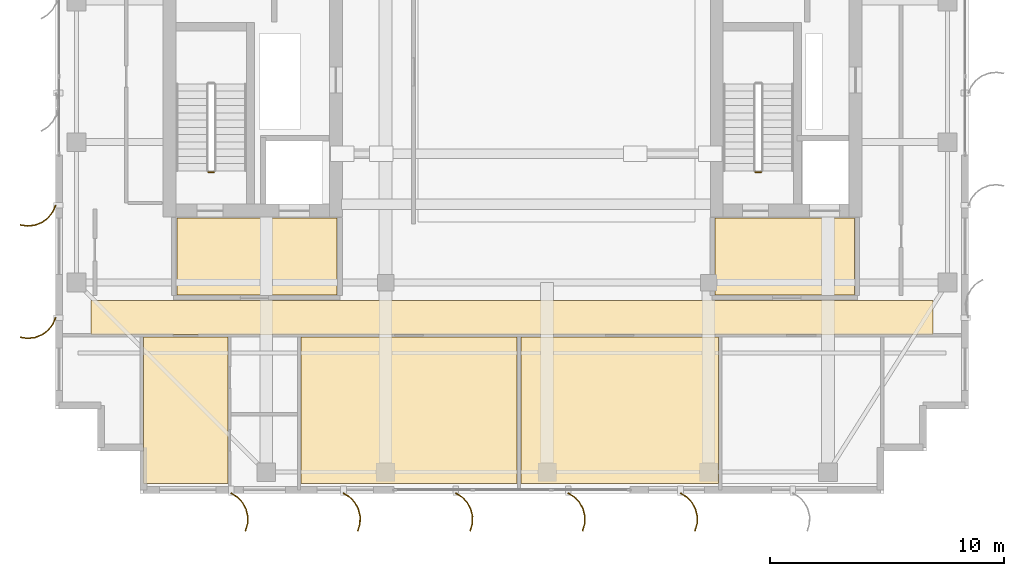
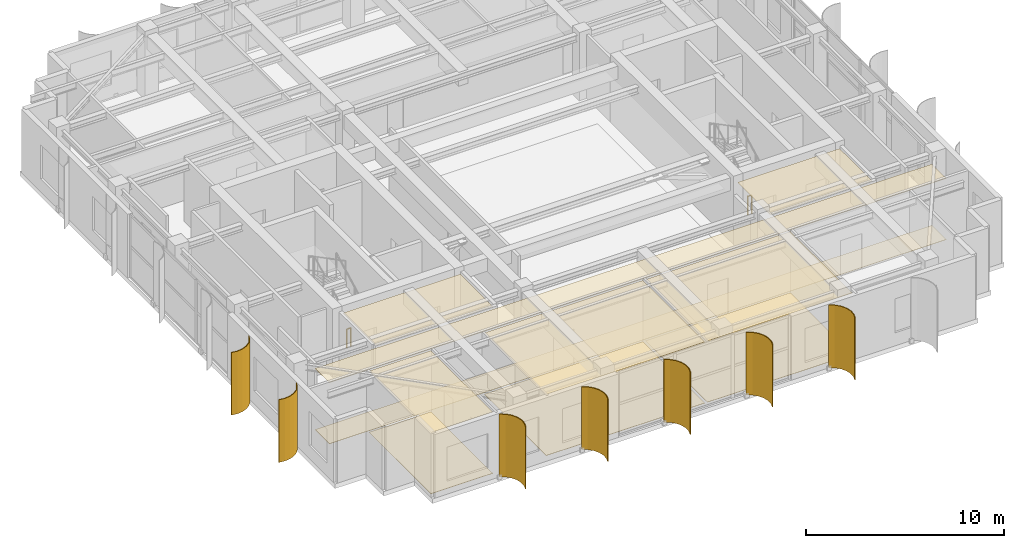
# One storey, part 24 of 26: 10 coverings, 7 shading devices, 2 railings.
"""IFC4 building model written with IfcOpenShell, lengths in metres."""

from ifc_helpers import new_model, si_unit, direction, frame, origin, origin_2d, place, context, subcontext, project, spatial, polyline, circle, outline, extrude, source, transform, mapped, material, layer, layer_set, type_object, element, save


model = new_model("IFC4")

# Units and contexts
model_context = context("Model", 3, precision=1e-05, world=origin(), true_north=direction((0.0, 1.0)))
body_context = subcontext(model_context, "Body", "Model", "MODEL_VIEW")
ifc_project = project(units=[si_unit("LENGTHUNIT", "METRE"), si_unit("AREAUNIT", "SQUARE_METRE"), si_unit("VOLUMEUNIT", "CUBIC_METRE"), si_unit("PLANEANGLEUNIT", "RADIAN"), si_unit("MASSUNIT", "GRAM", prefix="KILO")], contexts=[model_context])

# Site, building, storey
site_placement = place(None, origin())
site = spatial("IfcSite", under=ifc_project, at=site_placement, CompositionType="ELEMENT")
building_placement = place(site_placement, origin())
building = spatial("IfcBuilding", under=site, at=building_placement, Name="Khoralis Quay Care Tower", CompositionType="ELEMENT")
storey_placement = place(building_placement, frame((0.0, 0.0, 289.5)))
storey = spatial("IfcBuildingStorey", under=building, at=storey_placement, Name="L76", CompositionType="ELEMENT", Elevation=289.5)

# Coverings
ifc_material_1 = material(Name="Mineral-fibre acoustic ceiling tile")
ifc_layer_1 = layer(ifc_material_1, 0.01806640625)
ifc_layer_set_1 = layer_set([ifc_layer_1], Name="Mineral-fibre acoustic ceiling tile")
covering_type_1 = type_object("IfcCoveringType", Name="COV-CEIL-AC18", PredefinedType="CEILING", material=ifc_layer_set_1)
covering_1_placement = place(storey_placement, frame((0.0, 0.0, 3.77197265625)))
element("IfcCovering", 1, at=covering_1_placement, inside=storey, type_object=covering_type_1, Name="Suspended Acoustic Ceiling SP-L76-FFLOB-W", PredefinedType="CEILING", context=body_context, shape_type="SweptSolid", body=[
    extrude(outline(polyline([(8.179931640625, 11.47998046875), (15.02001953125, 11.47998046875), (15.02001953125, 14.75), (8.179931640625, 14.75), (8.179931640625, 11.47998046875)])), origin(), (0.0, 0.0, 1.0), 0.01806640625),
])
covering_2_placement = place(storey_placement, frame((0.0, 0.0, 3.77197265625)))
element("IfcCovering", 2, at=covering_2_placement, inside=storey, type_object=covering_type_1, Name="Suspended Acoustic Ceiling SP-L76-FFLOB-E", PredefinedType="CEILING", context=body_context, shape_type="SweptSolid", body=[
    extrude(outline(polyline([(31.179931640625, 11.47998046875), (37.1201171875, 11.47998046875), (37.1201171875, 14.75), (31.179931640625, 14.75), (31.179931640625, 11.47998046875)])), origin(), (0.0, 0.0, 1.0), 0.01806640625),
])
covering_3_placement = place(storey_placement, frame((0.0, 0.0, 3.77197265625)))
element("IfcCovering", 3, at=covering_3_placement, inside=storey, type_object=covering_type_1, Name="Suspended Acoustic Ceiling SP-L76-CORR-MAIN", PredefinedType="CEILING", context=body_context, shape_type="SweptSolid", body=[
    extrude(outline(polyline([(4.52001953125, 9.7900390625), (40.47998046875, 9.7900390625), (40.47998046875, 11.239990234375), (4.52001953125, 11.239990234375), (4.52001953125, 9.7900390625)])), origin(), (0.0, 0.0, 1.0), 0.01806640625),
])
covering_4_placement = place(storey_placement, frame((0.0, 0.0, 3.77197265625)))
element("IfcCovering", 4, at=covering_4_placement, inside=storey, type_object=covering_type_1, Name="Suspended Acoustic Ceiling SP-L76-SB-STU0", PredefinedType="CEILING", context=body_context, shape_type="SweptSolid", body=[
    extrude(outline(polyline([(6.760009765625, 3.419921875), (10.363037109375, 3.419921875), (10.363037109375, 9.669921875), (6.760009765625, 9.669921875), (6.760009765625, 3.419921875)])), origin(), (0.0, 0.0, 1.0), 0.01806640625),
])
covering_5_placement = place(storey_placement, frame((0.0, 0.0, 3.77197265625)))
element("IfcCovering", 5, at=covering_5_placement, inside=storey, type_object=covering_type_1, Name="Suspended Acoustic Ceiling SP-L76-SB-COM1", PredefinedType="CEILING", context=body_context, shape_type="SweptSolid", body=[
    extrude(outline(polyline([(13.47998046875, 3.419921875), (22.719970703125, 3.419921875), (22.719970703125, 9.669921875), (13.47998046875, 9.669921875), (13.47998046875, 3.419921875)])), origin(), (0.0, 0.0, 1.0), 0.01806640625),
])
covering_6_placement = place(storey_placement, frame((0.0, 0.0, 3.77197265625)))
element("IfcCovering", 6, at=covering_6_placement, inside=storey, type_object=covering_type_1, Name="Suspended Acoustic Ceiling SP-L76-SB-COM2", PredefinedType="CEILING", context=body_context, shape_type="SweptSolid", body=[
    extrude(outline(polyline([(22.8798828125, 3.419921875), (31.320068359375, 3.419921875), (31.320068359375, 9.669921875), (22.8798828125, 9.669921875), (22.8798828125, 3.419921875)])), origin(), (0.0, 0.0, 1.0), 0.01806640625),
])
ifc_material_2 = material(Name="Porcelain and non-slip vinyl flooring")
ifc_layer_2 = layer(ifc_material_2, 0.02001953125)
ifc_layer_set_2 = layer_set([ifc_layer_2], Name="Porcelain and non-slip vinyl flooring")
covering_type_2 = type_object("IfcCoveringType", Name="COV-FLOOR-20", PredefinedType="FLOORING", material=ifc_layer_set_2)
covering_7_placement = place(storey_placement, origin())
element("IfcCovering", 7, at=covering_7_placement, inside=storey, type_object=covering_type_2, Name="Resilient Healthcare Flooring SP-L76-CORR-MAIN", PredefinedType="FLOORING", context=body_context, shape_type="SweptSolid", body=[
    extrude(outline(polyline([(4.52001953125, 9.7900390625), (40.47998046875, 9.7900390625), (40.47998046875, 11.239990234375), (4.52001953125, 11.239990234375), (4.52001953125, 9.7900390625)])), origin(), (0.0, 0.0, 1.0), 0.02001953125),
])
covering_8_placement = place(storey_placement, origin())
element("IfcCovering", 8, at=covering_8_placement, inside=storey, type_object=covering_type_2, Name="Resilient Healthcare Flooring SP-L76-SB-STU0", PredefinedType="FLOORING", context=body_context, shape_type="SweptSolid", body=[
    extrude(outline(polyline([(6.760009765625, 3.419921875), (10.363037109375, 3.419921875), (10.363037109375, 9.669921875), (6.760009765625, 9.669921875), (6.760009765625, 3.419921875)])), origin(), (0.0, 0.0, 1.0), 0.02001953125),
])
covering_9_placement = place(storey_placement, origin())
element("IfcCovering", 9, at=covering_9_placement, inside=storey, type_object=covering_type_2, Name="Resilient Healthcare Flooring SP-L76-SB-COM1", PredefinedType="FLOORING", context=body_context, shape_type="SweptSolid", body=[
    extrude(outline(polyline([(13.47998046875, 3.419921875), (22.719970703125, 3.419921875), (22.719970703125, 9.669921875), (13.47998046875, 9.669921875), (13.47998046875, 3.419921875)])), origin(), (0.0, 0.0, 1.0), 0.02001953125),
])
covering_10_placement = place(storey_placement, origin())
element("IfcCovering", 10, at=covering_10_placement, inside=storey, type_object=covering_type_2, Name="Resilient Healthcare Flooring SP-L76-SB-COM2", PredefinedType="FLOORING", context=body_context, shape_type="SweptSolid", body=[
    extrude(outline(polyline([(22.8798828125, 3.419921875), (31.320068359375, 3.419921875), (31.320068359375, 9.669921875), (22.8798828125, 9.669921875), (22.8798828125, 3.419921875)])), origin(), (0.0, 0.0, 1.0), 0.02001953125),
])

# Railings
ifc_material_3 = material(Name="Brushed stainless steel", Category="steel")
railing_type = type_object("IfcRailingType", Name="RL-GUARD-1150", PredefinedType="GUARDRAIL", material=ifc_material_3)
for number, where, name in (
    (11, (9.77001953125, 16.719970703125, 0.0), "L76 ST-T1 stair guard 4"),
    (12, (33.139892578125, 16.719970703125, 0.0), "L76 ST-T2 stair guard 4"),
):
    element("IfcRailing", number, at=place(storey_placement, frame(where)), inside=storey, type_object=railing_type, Name=name, PredefinedType="GUARDRAIL", context=body_context, shape_type="SweptSolid", body=[
        extrude(circle(Radius=0.02392578125, at=origin_2d()), frame((0.0, 0.0, 1.1259765625), z_axis=(-1.0, 0.0, 0.0), x_axis=(0.0, -1.0, 0.0)), (0.0, 0.0, 1.0), 0.239990234375),
        extrude(circle(Radius=0.02099609375, at=origin_2d()), origin(), (0.0, 0.0, 1.0), 1.101806640625),
        extrude(circle(Radius=0.02099609375, at=origin_2d()), frame((-0.239990234375, 0.0, 0.0)), (0.0, 0.0, 1.0), 1.101806640625),
    ])

# Shading devices
ifc_material_4 = material(Name="Brushed pale anodised aluminium", Category="aluminium")
ifc_layer_3 = layer(ifc_material_4, 0.044921875)
ifc_layer_set_3 = layer_set([ifc_layer_3], Name="Brushed pale anodised aluminium")
shading_device_type = type_object("IfcShadingDeviceType", Name="SHD-FIN-1250", PredefinedType="USERDEFINED", material=ifc_layer_set_3)
shared_shape_1 = source(origin(), body_context, "Body", "SweptSolid", [
    extrude(outline(polyline([(0.0, 0.0), (0.17041015625, 0.2783203125), (0.4072265625, 0.5029296875), (0.694091796875, 0.658447265625), (1.01123046875, 0.734619140625), (1.33740234375, 0.72607421875), (1.650390625, 0.633544921875), (1.632080078125, 0.59228515625), (1.330322265625, 0.681640625), (1.015869140625, 0.68994140625), (0.710205078125, 0.616455078125), (0.43359375, 0.466552734375), (0.20556640625, 0.25), (0.041015625, -0.018310546875), (0.0, 0.0)])), origin(), (0.0, 0.0, 1.0), 3.85986328125),
])
for number, where, z_axis, x_axis, name in (
    (13, (10.5, 3.030029296875, 0.02001953125), (0.0, 0.0, 1.0), (0.0, -1.0, 0.0), "L76 Curved Solar Fin P1E0-01"),
    (14, (15.300048828125, 3.030029296875, 0.02001953125), (0.0, 0.0, 1.0), (0.0, -1.0, 0.0), "L76 Curved Solar Fin P1E0-02"),
    (15, (20.10009765625, 3.030029296875, 0.02001953125), (0.0, 0.0, 1.0), (0.0, -1.0, 0.0), "L76 Curved Solar Fin P1E0-03"),
    (16, (24.89990234375, 3.030029296875, 0.02001953125), (0.0, 0.0, 1.0), (0.0, -1.0, 0.0), "L76 Curved Solar Fin P1E0-04"),
    (17, (29.699951171875, 3.030029296875, 0.02001953125), (0.0, 0.0, 1.0), (0.0, -1.0, 0.0), "L76 Curved Solar Fin P1E0-05"),
):
    element("IfcShadingDevice", number, at=place(storey_placement, frame(where, z_axis=z_axis, x_axis=x_axis)), inside=storey, type_object=shading_device_type, Name=name, ObjectType="FIN", PredefinedType="USERDEFINED", context=body_context, shape_type="MappedRepresentation", body=[
        mapped(shared_shape_1, transform((0.0, 0.0, 0.0), scale=1.0)),
    ])
shared_shape_2 = source(origin(), body_context, "Body", "SweptSolid", [
    extrude(outline(polyline([(0.0, 0.0), (0.130126953125, 0.29931640625), (0.333251953125, 0.5546875), (0.595458984375, 0.748779296875), (0.899169921875, 0.868408203125), (1.223388671875, 0.9052734375), (1.546142578125, 0.85693359375), (1.53369140625, 0.813720703125), (1.22265625, 0.8603515625), (0.91015625, 0.82470703125), (0.617431640625, 0.70947265625), (0.364501953125, 0.522216796875), (0.168701171875, 0.276123046875), (0.043212890625, -0.012451171875), (0.0, 0.0)])), origin(), (0.0, 0.0, 1.0), 3.85986328125),
])
for number, where, z_axis, x_axis, name in (
    (18, (3.030029296875, 15.300048828125, 0.02001953125), (0.0, 0.0, 1.0), (-1.0, 0.0, 0.0), "L76 Curved Solar Fin P1E15-05"),
    (19, (3.030029296875, 10.5, 0.02001953125), (0.0, 0.0, 1.0), (-1.0, 0.0, 0.0), "L76 Curved Solar Fin P1E15-06"),
):
    element("IfcShadingDevice", number, at=place(storey_placement, frame(where, z_axis=z_axis, x_axis=x_axis)), inside=storey, type_object=shading_device_type, Name=name, ObjectType="FIN", PredefinedType="USERDEFINED", context=body_context, shape_type="MappedRepresentation", body=[
        mapped(shared_shape_2, transform((0.0, 0.0, 0.0), scale=1.0)),
    ])

save(model, "model.ifc")
